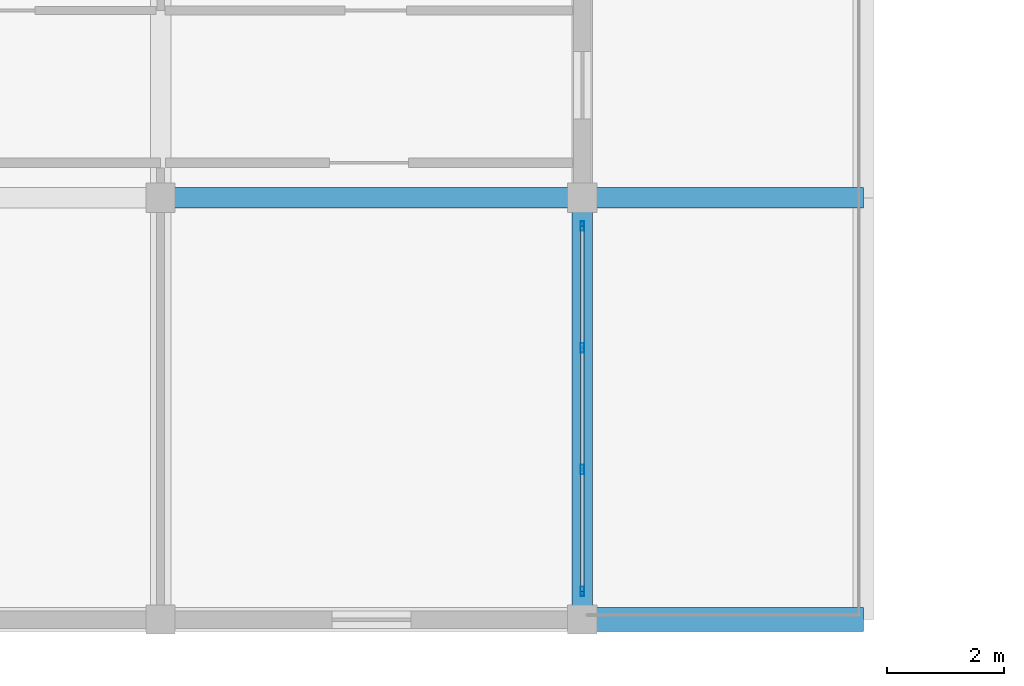
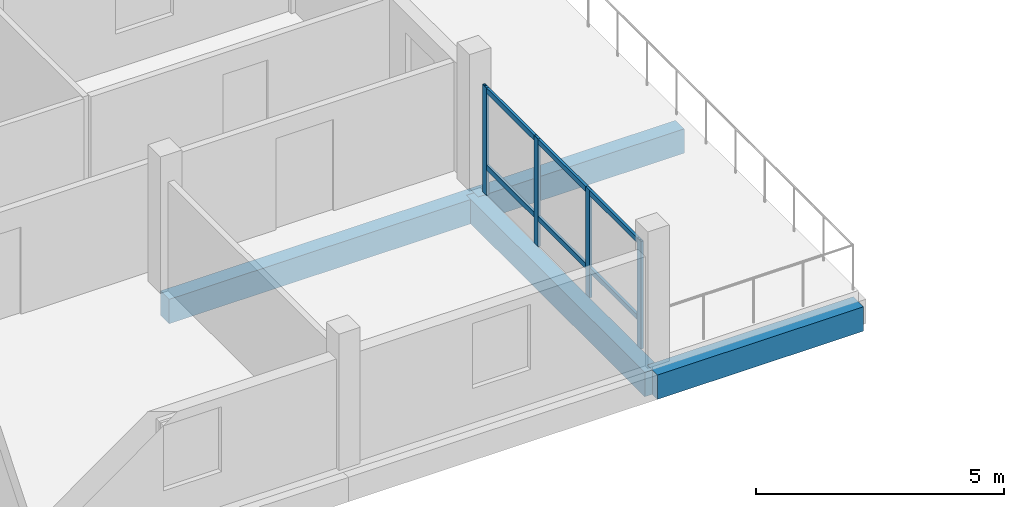
# One storey, part 4 of 18: 6 members, 4 beams, 1 element without a shape of its own.
"""IFC4 building model written with IfcOpenShell, lengths in metres."""

import ifcopenshell
import ifcopenshell.guid

model = None  # the IFC model being written
_history = None  # IfcOwnerHistory: only IFC2X3 demands one
_inside = {}  # id of a spatial element -> (the spatial element, [elements in it])
_under = {}  # id of a project, library or spatial element -> (it, [spatial elements below it])
_declared = {}  # id of a project -> (the project, [libraries it declares])
_typed = {}  # id of a type object -> (the type object, [elements of that type])
_made_of = {}  # id of a material, layer set ... -> (it, [elements and type objects made of it])


def new_model(schema):
    """Start an empty IFC model of exactly this schema.

    Asked for "IFC4X3", IfcOpenShell would pick the latest addendum, in which some entities
    have other attributes; the version numbers below select the first issue.
    IFC2X3 requires an IfcOwnerHistory on every rooted entity: one is made here for all.
    """
    global model, _history
    if schema == "IFC4X3":
        model = ifcopenshell.file(schema_version=(4, 3, 0, 0))
    else:
        model = ifcopenshell.file(schema=schema)
    _inside.clear()
    _under.clear()
    _declared.clear()
    _typed.clear()
    _made_of.clear()
    _history = None
    if model.schema == "IFC2X3":
        org = make("IfcOrganization", Name="unknown")
        user = make(
            "IfcPersonAndOrganization",
            ThePerson=make("IfcPerson", FamilyName="unknown"),
            TheOrganization=org,
        )
        app = make(
            "IfcApplication",
            ApplicationDeveloper=org,
            Version="unknown",
            ApplicationFullName="unknown",
            ApplicationIdentifier="unknown",
        )
        _history = make(
            "IfcOwnerHistory",
            OwningUser=user,
            OwningApplication=app,
            ChangeAction="ADDED",
            CreationDate=0,
        )
    return model


def make(cls, **values):
    """One entity of the class cls with the attributes given. An attribute that is None is left unset."""
    return model.create_entity(
        cls, **{name: value for name, value in values.items() if value is not None}
    )


def rooted(cls, **values):
    """An entity with a GlobalId (a new one), such as an element, a storey or a relation."""
    return make(cls, GlobalId=ifcopenshell.guid.new(), OwnerHistory=_history, **values)


def si_unit(unit_type, name, prefix=None):
    """IfcSIUnit, for example si_unit("LENGTHUNIT", "METRE", prefix="MILLI")."""
    return make("IfcSIUnit", UnitType=unit_type, Prefix=prefix, Name=name)


def assignment(units):
    """IfcUnitAssignment: the units of a project."""
    return None if units is None else make("IfcUnitAssignment", Units=units)


def point(xyz):
    """IfcCartesianPoint."""
    return None if xyz is None else make("IfcCartesianPoint", Coordinates=xyz)


def direction(xyz):
    """IfcDirection."""
    return None if xyz is None else make("IfcDirection", DirectionRatios=xyz)


def frame(location, z_axis=None, x_axis=None):
    """IfcAxis2Placement3D, a coordinate frame: its origin and axes. An axis left out is left unset."""
    return make(
        "IfcAxis2Placement3D",
        Location=point(location),
        Axis=direction(z_axis),
        RefDirection=direction(x_axis),
    )


def frame_2d(location, x_axis=None):
    """IfcAxis2Placement2D, a coordinate frame in the plane: its origin and x axis."""
    return make(
        "IfcAxis2Placement2D", Location=point(location), RefDirection=direction(x_axis)
    )


def origin():
    """The frame at (0, 0, 0) with its axes left unset."""
    return frame((0.0, 0.0, 0.0))


def origin_2d():
    """The frame at (0, 0) in the plane with its x axis left unset."""
    return frame_2d((0.0, 0.0))


def place(relative_to, where):
    """IfcLocalPlacement: puts the frame where relative to a parent placement (None: the world)."""
    return make(
        "IfcLocalPlacement", PlacementRelTo=relative_to, RelativePlacement=where
    )


def context(
    kind, dimensions, precision=None, world=None, true_north=None, identifier=None
):
    """IfcGeometricRepresentationContext, for example the 3D "Model" context."""
    return make(
        "IfcGeometricRepresentationContext",
        ContextIdentifier=identifier,
        ContextType=kind,
        CoordinateSpaceDimension=dimensions,
        Precision=precision,
        WorldCoordinateSystem=world,
        TrueNorth=true_north,
    )


def subcontext(parent, identifier, kind, view, scale=None):
    """IfcGeometricRepresentationSubContext, for example "Body" below "Model"."""
    return make(
        "IfcGeometricRepresentationSubContext",
        ContextIdentifier=identifier,
        ContextType=kind,
        ParentContext=parent,
        TargetScale=scale,
        TargetView=view,
    )


def project(units=None, contexts=None):
    """IfcProject with its units and contexts."""
    return rooted(
        "IfcProject",
        Name="project",
        RepresentationContexts=contexts,
        UnitsInContext=assignment(units),
    )


def spatial(cls, under=None, at=None, **own):
    """A site, building, storey or space (cls), placed at a placement, below another one or the project."""
    s = rooted(cls, ObjectPlacement=at, **own)
    if under is not None:
        _under.setdefault(under.id(), (under, []))[1].append(s)
    return s


def profile(cls, at=None, kind="AREA", **sizes):
    """A parametric profile (cls). Its sizes go by their IFC names, for example OverallWidth=200.0."""
    return make(cls, ProfileType=kind, Position=at, **sizes)


def rectangle(**sizes):
    """IfcRectangleProfileDef."""
    return profile("IfcRectangleProfileDef", **sizes)


def hollow_rectangle(**sizes):
    """IfcRectangleHollowProfileDef."""
    return profile("IfcRectangleHollowProfileDef", **sizes)


def extrude(swept, where, along, depth):
    """IfcExtrudedAreaSolid: the profile swept, set in the frame where, extruded along a direction by depth."""
    return make(
        "IfcExtrudedAreaSolid",
        SweptArea=swept,
        Position=where,
        ExtrudedDirection=direction(along),
        Depth=depth,
    )


def shape(context_of_items, identifier, shape_type, items):
    """IfcShapeRepresentation: the items that make up one representation, for example the "Body"."""
    return make(
        "IfcShapeRepresentation",
        ContextOfItems=context_of_items,
        RepresentationIdentifier=identifier,
        RepresentationType=shape_type,
        Items=items,
    )


def material(Name=None, Category=None):
    """IfcMaterial."""
    return make("IfcMaterial", Name=Name, Category=Category)


def material_profile(
    of_material, cross_section, Name=None, Category=None, Priority=None
):
    """IfcMaterialProfile: a cross section and its material."""
    return make(
        "IfcMaterialProfile",
        Name=Name,
        Material=of_material,
        Profile=cross_section,
        Priority=Priority,
        Category=Category,
    )


def profile_set(profiles, Name=None, composite=None):
    """IfcMaterialProfileSet."""
    return make(
        "IfcMaterialProfileSet",
        Name=Name,
        MaterialProfiles=profiles,
        CompositeProfile=composite,
    )


def made_of(thing, what):
    """Note that an element or type object is made of a material, layer set ...; save() writes the relation."""
    if what is not None:
        _made_of.setdefault(what.id(), (what, []))[1].append(thing)
    return thing


def type_object(cls, material=None, **own):
    """A type object (cls), such as IfcWallType, which elements share."""
    return made_of(rooted(cls, **own), material)


def element(
    cls,
    number,
    at=None,
    inside=None,
    cuts=None,
    type_object=None,
    material=None,
    context=None,
    identifier="Body",
    shape_type=None,
    held_by="IfcProductDefinitionShape",
    body=None,
    shapes=None,
    **own,
):
    """One element of the class cls, such as IfcWall. Its Tag is "e" and its number.

    at: its placement. inside: the storey or other place that contains it. cuts: it is an
    opening in that element (IfcRelVoidsElement). A single representation is given by context,
    identifier, shape_type and body (its items); several are given by shapes. held_by: the class
    of the entity that holds the representations. save() writes the other relations.
    """
    e = rooted(cls, Tag="e%d" % number, ObjectPlacement=at, **own)
    if body is not None:
        shapes = [shape(context, identifier, shape_type, body)]
    if shapes is not None:
        e.Representation = make(held_by, Representations=shapes)
    if inside is not None:
        _inside.setdefault(inside.id(), (inside, []))[1].append(e)
    if cuts is not None:
        rooted(
            "IfcRelVoidsElement", RelatingBuildingElement=cuts, RelatedOpeningElement=e
        )
    if type_object is not None:
        _typed.setdefault(type_object.id(), (type_object, []))[1].append(e)
    return made_of(e, material)


def aggregate(whole, parts):
    """IfcRelAggregates: a whole, such as a stair, and the parts it consists of."""
    return rooted("IfcRelAggregates", RelatingObject=whole, RelatedObjects=parts)


def save(model, path):
    """Write the relations noted so far, then the file.

    IfcRelAggregates (storeys below a building ...), IfcRelContainedInSpatialStructure (elements
    in a storey), IfcRelDefinesByType, IfcRelAssociatesMaterial and IfcRelDeclares: one each for
    every whole, place, type object, material and project.
    """
    for whole, parts in _under.values():
        aggregate(whole, parts)
    for where, things in _inside.values():
        rooted(
            "IfcRelContainedInSpatialStructure",
            RelatedElements=things,
            RelatingStructure=where,
        )
    for kind, things in _typed.values():
        rooted("IfcRelDefinesByType", RelatedObjects=things, RelatingType=kind)
    for what, things in _made_of.values():
        rooted("IfcRelAssociatesMaterial", RelatedObjects=things, RelatingMaterial=what)
    for by, libraries in _declared.values():
        rooted("IfcRelDeclares", RelatingContext=by, RelatedDefinitions=libraries)
    model.write(path)


model = new_model("IFC4")

# Units and contexts
model_context = context("Model", 3, precision=1e-05, world=origin(), true_north=direction((0.0, 1.0)))
body_context = subcontext(model_context, "Body", "Model", "MODEL_VIEW")
ifc_project = project(units=[si_unit("LENGTHUNIT", "METRE"), si_unit("AREAUNIT", "SQUARE_METRE"), si_unit("VOLUMEUNIT", "CUBIC_METRE"), si_unit("PLANEANGLEUNIT", "RADIAN"), si_unit("MASSUNIT", "GRAM", prefix="KILO")], contexts=[model_context])

# Site, building, storey
site_placement = place(None, origin())
site = spatial("IfcSite", under=ifc_project, at=site_placement, CompositionType="ELEMENT")
building_placement = place(site_placement, origin())
building = spatial("IfcBuilding", under=site, at=building_placement, Name="Zornivar Specialist Clinic", CompositionType="ELEMENT")
storey_placement = place(building_placement, frame((0.0, 0.0, 23.39990234375)))
storey = spatial("IfcBuildingStorey", under=building, at=storey_placement, Name="L06", CompositionType="ELEMENT", Elevation=23.39990234375)

# Beams
ifc_material_1 = material(Name="Concrete C30/37", Category="concrete")
ifc_material_profile_1 = material_profile(ifc_material_1, rectangle(XDim=0.35009765625, YDim=0.60009765625, at=origin_2d()), Name="RC 350x600")
ifc_profile_set_1 = profile_set([ifc_material_profile_1], Name="Concrete C30/37")
beam_type_1 = type_object("IfcBeamType", Name="BM-RC-350x600", PredefinedType="BEAM", material=ifc_profile_set_1)
beam_1_placement = place(storey_placement, frame((21.60009765625, 7.199951171875, -0.579833984375), z_axis=(1.0, 0.0, 0.0), x_axis=(0.0, 1.0, 0.0)))
element("IfcBeam", 1, at=beam_1_placement, inside=storey, type_object=beam_type_1, Name="bm:V2:L06:x:72:3", PredefinedType="BEAM", context=body_context, shape_type="SweptSolid", body=[
    extrude(rectangle(XDim=0.35009765625, YDim=0.60009765625, at=origin_2d()), origin(), (0.0, 0.0, 1.0), 7.199951171875),
])
beam_2_placement = place(storey_placement, frame((28.800048828125, 7.199951171875, -0.579833984375), z_axis=(1.0, 0.0, 0.0), x_axis=(0.0, 1.0, 0.0)))
element("IfcBeam", 2, at=beam_2_placement, inside=storey, type_object=beam_type_1, Name="bm:V2:L06:x:72:4", PredefinedType="BEAM", context=body_context, shape_type="SweptSolid", body=[
    extrude(rectangle(XDim=0.35009765625, YDim=0.60009765625, at=origin_2d()), origin(), (0.0, 0.0, 1.0), 4.800048828125),
])
beam_3_placement = place(storey_placement, frame((28.800048828125, 0.0, -0.579833984375), z_axis=(0.0, 1.0, 0.0), x_axis=(-1.0, 0.0, 0.0)))
element("IfcBeam", 3, at=beam_3_placement, inside=storey, type_object=beam_type_1, Name="bm:V2:L06:y:288:0", PredefinedType="BEAM", context=body_context, shape_type="SweptSolid", body=[
    extrude(rectangle(XDim=0.35009765625, YDim=0.60009765625, at=origin_2d()), origin(), (0.0, 0.0, 1.0), 7.199951171875),
])
ifc_material_2 = material(Name="Concrete C30/37", Category="concrete")
ifc_material_profile_2 = material_profile(ifc_material_2, rectangle(XDim=0.409912109375, YDim=0.60009765625, at=origin_2d()), Name="RC 410x600")
ifc_profile_set_2 = profile_set([ifc_material_profile_2], Name="Concrete C30/37")
beam_type_2 = type_object("IfcBeamType", Name="BM-RC-SPANDREL-410x600", PredefinedType="SPANDREL", material=ifc_profile_set_2)
beam_4_placement = place(storey_placement, frame((28.800048828125, 0.0, -0.579833984375), z_axis=(1.0, 0.0, 0.0), x_axis=(0.0, 1.0, 0.0)))
element("IfcBeam", 4, at=beam_4_placement, inside=storey, type_object=beam_type_2, Name="bm:V2:L06:x:0:4", PredefinedType="SPANDREL", context=body_context, shape_type="SweptSolid", body=[
    extrude(rectangle(XDim=0.409912109375, YDim=0.60009765625, at=origin_2d()), origin(), (0.0, 0.0, 1.0), 4.800048828125),
])

# Curtain wall, members
ifc_material_3 = material(Name="Aluminium and Low-E Glass Curtain Wall", Category="aluminium")
curtain_wall_type = type_object("IfcCurtainWallType", Name="CW-REVAK-COURT", PredefinedType="NOTDEFINED", material=ifc_material_3)
curtain_wall_placement = place(storey_placement, origin())
curtain_wall = element("IfcCurtainWall", 5, at=curtain_wall_placement, inside=storey, type_object=curtain_wall_type, Name="cw:V2:L06:04", PredefinedType="NOTDEFINED")
ifc_material_4 = material(Name="Aluminium AW-6060", Category="aluminium")
ifc_material_profile_3 = material_profile(ifc_material_4, hollow_rectangle(XDim=0.06005859375, YDim=0.159912109375, WallThickness=0.00390625, at=origin_2d()), Name="ALU 60x160x4")
ifc_profile_set_3 = profile_set([ifc_material_profile_3], Name="Aluminium AW-6060")
member_type_1 = type_object("IfcMemberType", Name="CWM-MUL-160", PredefinedType="MULLION", material=ifc_profile_set_3)
member_1_placement = place(storey_placement, frame((28.800048828125, 0.47998046875, 0.0), z_axis=(0.0, 0.0, 1.0), x_axis=(1.0, 0.0, 0.0)))
member_1 = element("IfcMember", 6, at=member_1_placement, type_object=member_type_1, Name="cw:V2:L06:04:mul:0", PredefinedType="MULLION", context=body_context, shape_type="SweptSolid", body=[
    extrude(hollow_rectangle(XDim=0.06005859375, YDim=0.159912109375, WallThickness=0.00390625, at=origin_2d()), origin(), (0.0, 0.0, 1.0), 2.650146484375),
])
member_2_placement = place(storey_placement, frame((28.800048828125, 2.56005859375, 0.0), z_axis=(0.0, 0.0, 1.0), x_axis=(1.0, 0.0, 0.0)))
member_2 = element("IfcMember", 7, at=member_2_placement, type_object=member_type_1, Name="cw:V2:L06:04:mul:1", PredefinedType="MULLION", context=body_context, shape_type="SweptSolid", body=[
    extrude(hollow_rectangle(XDim=0.06005859375, YDim=0.159912109375, WallThickness=0.00390625, at=origin_2d()), origin(), (0.0, 0.0, 1.0), 2.650146484375),
])
member_3_placement = place(storey_placement, frame((28.800048828125, 4.639892578125, 0.0), z_axis=(0.0, 0.0, 1.0), x_axis=(1.0, 0.0, 0.0)))
member_3 = element("IfcMember", 8, at=member_3_placement, type_object=member_type_1, Name="cw:V2:L06:04:mul:2", PredefinedType="MULLION", context=body_context, shape_type="SweptSolid", body=[
    extrude(hollow_rectangle(XDim=0.06005859375, YDim=0.159912109375, WallThickness=0.00390625, at=origin_2d()), origin(), (0.0, 0.0, 1.0), 2.650146484375),
])
member_4_placement = place(storey_placement, frame((28.800048828125, 6.719970703125, 0.0), z_axis=(0.0, 0.0, 1.0), x_axis=(1.0, 0.0, 0.0)))
member_4 = element("IfcMember", 9, at=member_4_placement, type_object=member_type_1, Name="cw:V2:L06:04:mul:3", PredefinedType="MULLION", context=body_context, shape_type="SweptSolid", body=[
    extrude(hollow_rectangle(XDim=0.06005859375, YDim=0.159912109375, WallThickness=0.00390625, at=origin_2d()), origin(), (0.0, 0.0, 1.0), 2.650146484375),
])
ifc_material_5 = material(Name="Aluminium AW-6060", Category="aluminium")
ifc_material_profile_4 = material_profile(ifc_material_5, hollow_rectangle(XDim=0.06005859375, YDim=0.1298828125, WallThickness=0.00390625, at=origin_2d()), Name="ALU 60x130x4")
ifc_profile_set_4 = profile_set([ifc_material_profile_4], Name="Aluminium AW-6060")
member_type_2 = type_object("IfcMemberType", Name="CWM-TRN-130", PredefinedType="USERDEFINED", material=ifc_profile_set_4)
member_5_placement = place(storey_placement, frame((28.800048828125, 0.47998046875, 0.689208984375), z_axis=(0.0, 1.0, 0.0), x_axis=(-1.0, 0.0, 0.0)))
member_5 = element("IfcMember", 10, at=member_5_placement, type_object=member_type_2, Name="cw:V2:L06:04:trn:0", ObjectType="TRANSOM", PredefinedType="USERDEFINED", context=body_context, shape_type="SweptSolid", body=[
    extrude(hollow_rectangle(XDim=0.06005859375, YDim=0.1298828125, WallThickness=0.00390625, at=origin_2d()), origin(), (0.0, 0.0, 1.0), 6.239990234375),
])
member_6_placement = place(storey_placement, frame((28.800048828125, 0.47998046875, 2.585205078125), z_axis=(0.0, 1.0, 0.0), x_axis=(-1.0, 0.0, 0.0)))
member_6 = element("IfcMember", 11, at=member_6_placement, type_object=member_type_2, Name="cw:V2:L06:04:trn:1", ObjectType="TRANSOM", PredefinedType="USERDEFINED", context=body_context, shape_type="SweptSolid", body=[
    extrude(hollow_rectangle(XDim=0.06005859375, YDim=0.1298828125, WallThickness=0.00390625, at=origin_2d()), origin(), (0.0, 0.0, 1.0), 6.239990234375),
])
aggregate(curtain_wall, [member_1, member_2, member_3, member_4, member_5, member_6])

save(model, "model.ifc")
